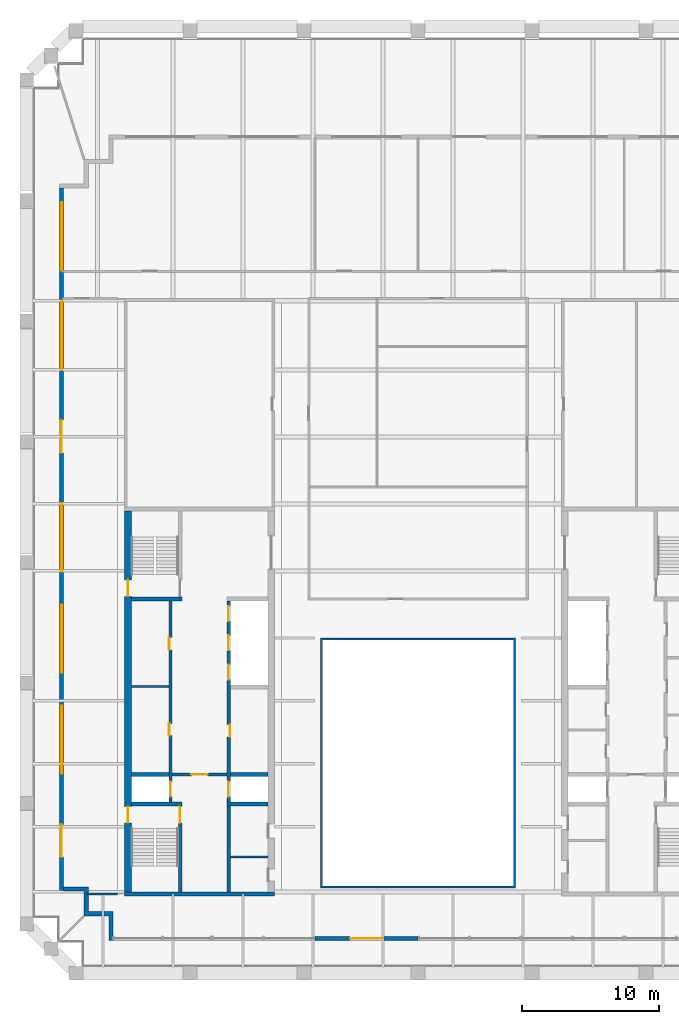
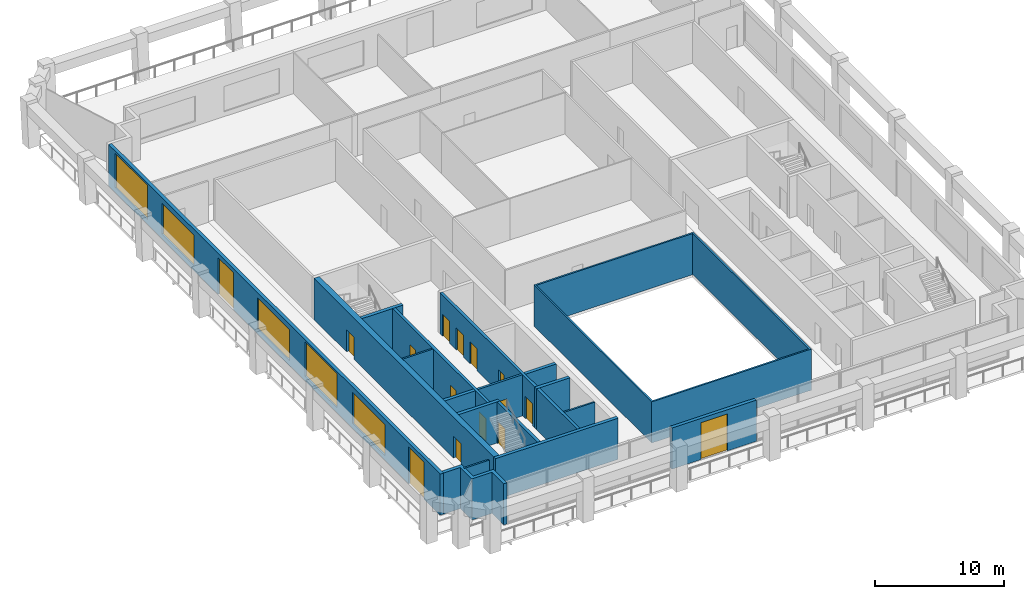
# One storey, part 5 of 10: 18 walls, 15 doors, 5 windows, 20 openings.
"""IFC4 building model written with IfcOpenShell, lengths in metres."""

from ifc_helpers import new_model, si_unit, direction, frame, frame_2d, origin, place, context, subcontext, project, spatial, polyline, rectangle, outline, extrude, material, layer, layer_set, type_object, element, fill, save


model = new_model("IFC4")

# Units and contexts
model_context = context("Model", 3, precision=1e-05, world=origin(), true_north=direction((0.0, 1.0)))
body_context = subcontext(model_context, "Body", "Model", "MODEL_VIEW")
ifc_project = project(units=[si_unit("LENGTHUNIT", "METRE"), si_unit("AREAUNIT", "SQUARE_METRE"), si_unit("VOLUMEUNIT", "CUBIC_METRE"), si_unit("PLANEANGLEUNIT", "RADIAN"), si_unit("MASSUNIT", "GRAM", prefix="KILO")], contexts=[model_context])

# Site, building, storey
site_placement = place(None, origin())
site = spatial("IfcSite", under=ifc_project, at=site_placement, CompositionType="ELEMENT")
building_placement = place(site_placement, origin())
building = spatial("IfcBuilding", under=site, at=building_placement, Name="Ogive Exchange Tower", CompositionType="ELEMENT")
storey_placement = place(building_placement, frame((0.0, 0.0, 359.39990234375)))
storey = spatial("IfcBuildingStorey", under=building, at=storey_placement, Name="L79", CompositionType="ELEMENT", Elevation=359.39990234375)

# Walls
ifc_material_1 = material(Name="Gypsum board partition")
ifc_layer_1 = layer(ifc_material_1, 0.14990234375)
ifc_layer_set_1 = layer_set([ifc_layer_1], Name="Core room partition 150 gypsum")
wall_type_1 = type_object("IfcWallType", Name="Core room partition 150 gypsum", PredefinedType="PARTITIONING", material=ifc_layer_set_1)
for number, where, z_axis, x_axis, name in (
    (1, (-21.0, 12.60009765625, 0.0), (0.0, 0.0, 1.0), (1.0, 0.0, 0.0), "W row A bay partition 1-1"),
    (2, (-13.75, 0.10009765625, 0.0), (0.0, 0.0, 1.0), (1.0, 0.0, 0.0), "W south room partition"),
):
    element("IfcWall", number, at=place(storey_placement, frame(where, z_axis=z_axis, x_axis=x_axis)), inside=storey, type_object=wall_type_1, Name=name, PredefinedType="PARTITIONING", context=body_context, shape_type="SweptSolid", body=[
        extrude(rectangle(XDim=2.75, YDim=0.14990234375, at=frame_2d((1.375, 0.0))), origin(), (0.0, 0.0, 1.0), 3.900146484375),
    ])
ifc_material_2 = material(Name="Fire partition EI 60 150")
ifc_layer_2 = layer(ifc_material_2, 0.14990234375)
ifc_layer_set_2 = layer_set([ifc_layer_2], Name="Fire partition EI 60 150")
wall_type_2 = type_object("IfcWallType", Name="Fire partition EI 60 150", PredefinedType="PARTITIONING", material=ifc_layer_set_2)
wall_1_placement = place(storey_placement, frame((-24.25, -2.60009765625, 0.0), z_axis=(0.0, 0.0, 1.0), x_axis=(1.0, 0.0, 0.0)))
element("IfcWall", 3, at=wall_1_placement, inside=storey, type_object=wall_type_2, Name="L79-PWL-002", PredefinedType="PARTITIONING", context=body_context, shape_type="SweptSolid", body=[
    extrude(rectangle(XDim=2.25, YDim=0.14990234375, at=frame_2d((1.125, 0.0))), origin(), (0.0, 0.0, 1.0), 3.900146484375),
])
ifc_material_3 = material(Name="Fire-resisting glass in steel frame", Category="steel")
ifc_layer_3 = layer(ifc_material_3, 0.14990234375)
ifc_layer_set_3 = layer_set([ifc_layer_3], Name="Fire-rated glazed wall 150")
wall_type_3 = type_object("IfcWallType", Name="Fire-rated glazed wall 150", PredefinedType="STANDARD", material=ifc_layer_set_3)
wall_2_placement = place(storey_placement, origin())
element("IfcWall", 4, at=wall_2_placement, inside=storey, type_object=wall_type_3, Name="Nave enclosure wall", PredefinedType="STANDARD", context=body_context, shape_type="SweptSolid", body=[
    extrude(outline(polyline([(-7.14990234375, -2.14990234375), (7.14990234375, -2.14990234375), (7.14990234375, 16.14990234375), (-7.14990234375, 16.14990234375), (-7.14990234375, -2.14990234375)]), holes=[polyline([(-7.0, -2.0), (-7.0, 16.0), (7.0, 16.0), (7.0, -2.0), (-7.0, -2.0)])]), origin(), (0.0, 0.0, 1.0), 3.900146484375),
])

# Wall, opening, door
ifc_material_4 = material(Name="Precast concrete C40/50", Category="concrete")
ifc_layer_4 = layer(ifc_material_4, 0.300048828125)
ifc_layer_set_4 = layer_set([ifc_layer_4], Name="Limestone-faced wall 300")
wall_type_4 = type_object("IfcWallType", Name="Limestone-faced wall 300", PredefinedType="STANDARD", material=ifc_layer_set_4)
wall_3_placement = place(storey_placement, frame((-7.550048828125, -5.85009765625, 0.0), z_axis=(0.0, 0.0, 1.0), x_axis=(1.0, 0.0, 0.0)))
wall_3 = element("IfcWall", 5, at=wall_3_placement, inside=storey, type_object=wall_type_4, Name="External wall S1", PredefinedType="STANDARD", context=body_context, shape_type="SweptSolid", body=[
    extrude(rectangle(XDim=7.550048828125, YDim=0.300048828125, at=frame_2d((3.77490234375, 0.0))), origin(), (0.0, 0.0, 1.0), 3.900146484375),
])
opening_1_placement = place(wall_3_placement, frame((2.574951171875, 0.0, 0.0)))
opening_1 = element("IfcOpeningElement", 6, at=opening_1_placement, cuts=wall_3, Name="Opening D1", PredefinedType="OPENING", context=body_context, shape_type="SweptSolid", body=[
    extrude(rectangle(XDim=2.39990234375, YDim=3.5, at=frame_2d((1.199951171875, 1.75))), frame((0.0, 0.159912109375, 0.0), z_axis=(0.0, -1.0, 0.0), x_axis=(1.0, 0.0, 0.0)), (0.0, 0.0, 1.0), 0.320068359375),
])
ifc_material_5 = material(Name="Clear glass in bronze frame", Category="glass")
door_type_1 = type_object("IfcDoorType", Name="Sliding loggia door 2400 x 3500", OperationType="DOUBLE_DOOR_SLIDING", PredefinedType="DOOR", material=ifc_material_5)
door_1_placement = place(opening_1_placement, origin())
door_1 = element("IfcDoor", 7, at=door_1_placement, inside=storey, type_object=door_type_1, Name="Loggia door S02", OperationType="DOUBLE_DOOR_SLIDING", OverallHeight=3.5, OverallWidth=2.39990234375, PredefinedType="DOOR", context=body_context, shape_type="SweptSolid", body=[
    extrude(rectangle(XDim=2.39990234375, YDim=3.5, at=frame_2d((1.199951171875, 1.75))), frame((0.0, 0.02490234375, 0.0), z_axis=(0.0, -1.0, 0.0), x_axis=(1.0, 0.0, 0.0)), (0.0, 0.0, 1.0), 0.050048828125),
])
fill(opening_1, door_1)

# Wall, openings, windows, doors
wall_4_placement = place(storey_placement, frame((-26.10009765625, 49.10009765625, 0.0), z_axis=(0.0, 0.0, 1.0), x_axis=(0.0, -1.0, 0.0)))
wall_4 = element("IfcWall", 8, at=wall_4_placement, inside=storey, type_object=wall_type_4, Name="External wall W4", PredefinedType="STANDARD", context=body_context, shape_type="SweptSolid", body=[
    extrude(rectangle(XDim=51.5, YDim=0.300048828125, at=frame_2d((25.75, 0.0))), origin(), (0.0, 0.0, 1.0), 3.900146484375),
])
opening_2_placement = place(wall_4_placement, frame((1.050048828125, 0.0, 0.449951171875)))
opening_2 = element("IfcOpeningElement", 9, at=opening_2_placement, cuts=wall_4, Name="Opening W2", PredefinedType="OPENING", context=body_context, shape_type="SweptSolid", body=[
    extrude(rectangle(XDim=5.0, YDim=3.25, at=frame_2d((2.5, 1.625))), frame((0.0, 0.159912109375, 0.0), z_axis=(0.0, -1.0, 0.0), x_axis=(1.0, 0.0, 0.0)), (0.0, 0.0, 1.0), 0.320068359375),
])
opening_3_placement = place(wall_4_placement, frame((8.300048828125, 0.0, 0.449951171875)))
opening_3 = element("IfcOpeningElement", 10, at=opening_3_placement, cuts=wall_4, Name="Opening W2B", PredefinedType="OPENING", context=body_context, shape_type="SweptSolid", body=[
    extrude(rectangle(XDim=5.0, YDim=2.89990234375, at=frame_2d((2.5, 1.449951171875))), frame((0.0, 0.159912109375, 0.0), z_axis=(0.0, -1.0, 0.0), x_axis=(1.0, 0.0, 0.0)), (0.0, 0.0, 1.0), 0.320068359375),
])
opening_4_placement = place(wall_4_placement, frame((17.0, 0.0, 0.0)))
opening_4 = element("IfcOpeningElement", 11, at=opening_4_placement, cuts=wall_4, Name="Opening D1", PredefinedType="OPENING", context=body_context, shape_type="SweptSolid", body=[
    extrude(rectangle(XDim=2.39990234375, YDim=3.5, at=frame_2d((1.199951171875, 1.75))), frame((0.0, 0.159912109375, 0.0), z_axis=(0.0, -1.0, 0.0), x_axis=(1.0, 0.0, 0.0)), (0.0, 0.0, 1.0), 0.320068359375),
])
opening_5_placement = place(wall_4_placement, frame((23.10009765625, 0.0, 0.449951171875)))
opening_5 = element("IfcOpeningElement", 12, at=opening_5_placement, cuts=wall_4, Name="Opening W2A", PredefinedType="OPENING", context=body_context, shape_type="SweptSolid", body=[
    extrude(rectangle(XDim=5.0, YDim=2.949951171875, at=frame_2d((2.5, 1.47509765625))), frame((0.0, 0.159912109375, 0.0), z_axis=(0.0, -1.0, 0.0), x_axis=(1.0, 0.0, 0.0)), (0.0, 0.0, 1.0), 0.320068359375),
])
opening_6_placement = place(wall_4_placement, frame((30.5, 0.0, 0.449951171875)))
opening_6 = element("IfcOpeningElement", 13, at=opening_6_placement, cuts=wall_4, Name="Opening W2", PredefinedType="OPENING", context=body_context, shape_type="SweptSolid", body=[
    extrude(rectangle(XDim=5.0, YDim=3.25, at=frame_2d((2.5, 1.625))), frame((0.0, 0.159912109375, 0.0), z_axis=(0.0, -1.0, 0.0), x_axis=(1.0, 0.0, 0.0)), (0.0, 0.0, 1.0), 0.320068359375),
])
opening_7_placement = place(wall_4_placement, frame((37.89990234375, 0.0, 0.449951171875)))
opening_7 = element("IfcOpeningElement", 14, at=opening_7_placement, cuts=wall_4, Name="Opening W2A", PredefinedType="OPENING", context=body_context, shape_type="SweptSolid", body=[
    extrude(rectangle(XDim=5.0, YDim=2.949951171875, at=frame_2d((2.5, 1.47509765625))), frame((0.0, 0.159912109375, 0.0), z_axis=(0.0, -1.0, 0.0), x_axis=(1.0, 0.0, 0.0)), (0.0, 0.0, 1.0), 0.320068359375),
])
opening_8_placement = place(wall_4_placement, frame((46.60009765625, 0.0, 0.0)))
opening_8 = element("IfcOpeningElement", 15, at=opening_8_placement, cuts=wall_4, Name="Opening D1", PredefinedType="OPENING", context=body_context, shape_type="SweptSolid", body=[
    extrude(rectangle(XDim=2.39990234375, YDim=3.5, at=frame_2d((1.199951171875, 1.75))), frame((0.0, 0.159912109375, 0.0), z_axis=(0.0, -1.0, 0.0), x_axis=(1.0, 0.0, 0.0)), (0.0, 0.0, 1.0), 0.320068359375),
])
window_type_1 = type_object("IfcWindowType", Name="Executive lancet window 5000 x 2900", PartitioningType="DOUBLE_PANEL_VERTICAL", PredefinedType="WINDOW", material=ifc_material_5)
window_1_placement = place(opening_3_placement, origin())
window_1 = element("IfcWindow", 16, at=window_1_placement, inside=storey, type_object=window_type_1, Name="Window W01", OverallHeight=2.89990234375, OverallWidth=5.0, PartitioningType="DOUBLE_PANEL_VERTICAL", PredefinedType="WINDOW", context=body_context, shape_type="SweptSolid", body=[
    extrude(rectangle(XDim=5.0, YDim=2.89990234375, at=frame_2d((2.5, 1.449951171875))), frame((0.0, 0.030029296875, 0.0), z_axis=(0.0, -1.0, 0.0), x_axis=(1.0, 0.0, 0.0)), (0.0, 0.0, 1.0), 0.06005859375),
])
fill(opening_3, window_1)
window_type_2 = type_object("IfcWindowType", Name="Executive lancet window 5000 x 2950", PartitioningType="DOUBLE_PANEL_VERTICAL", PredefinedType="WINDOW", material=ifc_material_5)
window_2_placement = place(opening_5_placement, origin())
window_2 = element("IfcWindow", 17, at=window_2_placement, inside=storey, type_object=window_type_2, Name="Window W03", OverallHeight=2.949951171875, OverallWidth=5.0, PartitioningType="DOUBLE_PANEL_VERTICAL", PredefinedType="WINDOW", context=body_context, shape_type="SweptSolid", body=[
    extrude(rectangle(XDim=5.0, YDim=2.949951171875, at=frame_2d((2.5, 1.47509765625))), frame((0.0, 0.030029296875, 0.0), z_axis=(0.0, -1.0, 0.0), x_axis=(1.0, 0.0, 0.0)), (0.0, 0.0, 1.0), 0.06005859375),
])
fill(opening_5, window_2)
window_3_placement = place(opening_7_placement, origin())
window_3 = element("IfcWindow", 18, at=window_3_placement, inside=storey, type_object=window_type_2, Name="Window W05", OverallHeight=2.949951171875, OverallWidth=5.0, PartitioningType="DOUBLE_PANEL_VERTICAL", PredefinedType="WINDOW", context=body_context, shape_type="SweptSolid", body=[
    extrude(rectangle(XDim=5.0, YDim=2.949951171875, at=frame_2d((2.5, 1.47509765625))), frame((0.0, 0.030029296875, 0.0), z_axis=(0.0, -1.0, 0.0), x_axis=(1.0, 0.0, 0.0)), (0.0, 0.0, 1.0), 0.06005859375),
])
fill(opening_7, window_3)
window_type_3 = type_object("IfcWindowType", Name="Executive lancet window 5000 x 3250", PartitioningType="DOUBLE_PANEL_VERTICAL", PredefinedType="WINDOW", material=ifc_material_5)
window_4_placement = place(opening_2_placement, origin())
window_4 = element("IfcWindow", 19, at=window_4_placement, inside=storey, type_object=window_type_3, Name="Window W00", OverallHeight=3.25, OverallWidth=5.0, PartitioningType="DOUBLE_PANEL_VERTICAL", PredefinedType="WINDOW", context=body_context, shape_type="SweptSolid", body=[
    extrude(rectangle(XDim=5.0, YDim=3.25, at=frame_2d((2.5, 1.625))), frame((0.0, 0.030029296875, 0.0), z_axis=(0.0, -1.0, 0.0), x_axis=(1.0, 0.0, 0.0)), (0.0, 0.0, 1.0), 0.06005859375),
])
fill(opening_2, window_4)
window_5_placement = place(opening_6_placement, origin())
window_5 = element("IfcWindow", 20, at=window_5_placement, inside=storey, type_object=window_type_3, Name="Window W04", OverallHeight=3.25, OverallWidth=5.0, PartitioningType="DOUBLE_PANEL_VERTICAL", PredefinedType="WINDOW", context=body_context, shape_type="SweptSolid", body=[
    extrude(rectangle(XDim=5.0, YDim=3.25, at=frame_2d((2.5, 1.625))), frame((0.0, 0.030029296875, 0.0), z_axis=(0.0, -1.0, 0.0), x_axis=(1.0, 0.0, 0.0)), (0.0, 0.0, 1.0), 0.06005859375),
])
fill(opening_6, window_5)
door_2_placement = place(opening_4_placement, origin())
door_2 = element("IfcDoor", 21, at=door_2_placement, inside=storey, type_object=door_type_1, Name="Loggia door W02", OperationType="DOUBLE_DOOR_SLIDING", OverallHeight=3.5, OverallWidth=2.39990234375, PredefinedType="DOOR", context=body_context, shape_type="SweptSolid", body=[
    extrude(rectangle(XDim=2.39990234375, YDim=3.5, at=frame_2d((1.199951171875, 1.75))), frame((0.0, 0.02490234375, 0.0), z_axis=(0.0, -1.0, 0.0), x_axis=(1.0, 0.0, 0.0)), (0.0, 0.0, 1.0), 0.050048828125),
])
fill(opening_4, door_2)
door_3_placement = place(opening_8_placement, origin())
door_3 = element("IfcDoor", 22, at=door_3_placement, inside=storey, type_object=door_type_1, Name="Loggia door W06", OperationType="DOUBLE_DOOR_SLIDING", OverallHeight=3.5, OverallWidth=2.39990234375, PredefinedType="DOOR", context=body_context, shape_type="SweptSolid", body=[
    extrude(rectangle(XDim=2.39990234375, YDim=3.5, at=frame_2d((1.199951171875, 1.75))), frame((0.0, 0.02490234375, 0.0), z_axis=(0.0, -1.0, 0.0), x_axis=(1.0, 0.0, 0.0)), (0.0, 0.0, 1.0), 0.050048828125),
])
fill(opening_8, door_3)

# Wall
wall_5_placement = place(storey_placement, origin())
element("IfcWall", 23, at=wall_5_placement, inside=storey, type_object=wall_type_4, Name="External corner wall C4", PredefinedType="STANDARD", context=body_context, shape_type="SweptSolid", body=[
    extrude(outline(polyline([(-22.64990234375, -4.199951171875), (-24.449951171875, -4.199951171875), (-24.449951171875, -2.39990234375), (-25.949951171875, -2.39990234375), (-25.949951171875, -2.10009765625), (-24.14990234375, -2.10009765625), (-24.14990234375, -3.89990234375), (-22.35009765625, -3.89990234375), (-22.35009765625, -6.0), (-22.64990234375, -6.0), (-22.64990234375, -4.199951171875)])), origin(), (0.0, 0.0, 1.0), 3.900146484375),
])

# Wall, opening, door
ifc_material_6 = material(Name="Concrete C70/85", Category="concrete")
ifc_layer_5 = layer(ifc_material_6, 0.199951171875)
ifc_layer_set_5 = layer_set([ifc_layer_5], Name="RC core wall 200 C70/85")
wall_type_5 = type_object("IfcWallType", Name="RC core wall 200 C70/85", PredefinedType="SHEAR", material=ifc_layer_set_5)
wall_6_placement = place(storey_placement, frame((-18.0, 6.142822265625, 0.0), z_axis=(0.0, 0.0, 1.0), x_axis=(1.0, 0.0, 0.0)))
wall_6 = element("IfcWall", 24, at=wall_6_placement, inside=storey, type_object=wall_type_5, Name="W firefighting lobby wall", PredefinedType="SHEAR", context=body_context, shape_type="SweptSolid", body=[
    extrude(rectangle(XDim=4.0, YDim=0.199951171875, at=frame_2d((2.0, 0.0))), origin(), (0.0, 0.0, 1.0), 3.900146484375),
])
opening_9_placement = place(wall_6_placement, frame((1.39990234375, 0.0, 0.0)))
opening_9 = element("IfcOpeningElement", 25, at=opening_9_placement, cuts=wall_6, Name="Opening L79-C09", PredefinedType="OPENING", context=body_context, shape_type="SweptSolid", body=[
    extrude(rectangle(XDim=1.199951171875, YDim=2.10009765625, at=frame_2d((0.60009765625, 1.050048828125))), frame((0.0, 0.10986328125, 0.0), z_axis=(0.0, -1.0, 0.0), x_axis=(1.0, 0.0, 0.0)), (0.0, 0.0, 1.0), 0.219970703125),
])
ifc_material_7 = material(Name="Steel fire door", Category="steel")
door_type_2 = type_object("IfcDoorType", Name="Firefighting lobby door FD60 1200 x 2100", OperationType="NOTDEFINED", PredefinedType="DOOR", material=ifc_material_7)
door_4_placement = place(opening_9_placement, frame((1.199951171875, 0.0, 0.0), z_axis=(0.0, 0.0, 1.0), x_axis=(-1.0, 0.0, 0.0)))
door_4 = element("IfcDoor", 26, at=door_4_placement, inside=storey, type_object=door_type_2, Name="Firefighting lobby door", ObjectType="CD3", OperationType="SINGLE_SWING_LEFT", OverallHeight=2.10009765625, OverallWidth=1.199951171875, PredefinedType="DOOR", context=body_context, shape_type="SweptSolid", body=[
    extrude(rectangle(XDim=1.199951171875, YDim=2.10009765625, at=frame_2d((0.60009765625, 1.050048828125))), frame((0.0, 0.02490234375, 0.0), z_axis=(0.0, -1.0, 0.0), x_axis=(1.0, 0.0, 0.0)), (0.0, 0.0, 1.0), 0.050048828125),
])
fill(opening_9, door_4)

ifc_layer_6 = layer(ifc_material_6, 0.25)
ifc_layer_set_6 = layer_set([ifc_layer_6], Name="RC core wall 250 C70/85")
wall_type_6 = type_object("IfcWallType", Name="RC core wall 250 C70/85", PredefinedType="SHEAR", material=ifc_layer_set_6)
wall_7_placement = place(storey_placement, frame((-17.425048828125, -2.449951171875, 0.0), z_axis=(0.0, 0.0, 1.0), x_axis=(0.0, 1.0, 0.0)))
wall_7 = element("IfcWall", 27, at=wall_7_placement, inside=storey, type_object=wall_type_6, Name="W stair S front wall", PredefinedType="SHEAR", context=body_context, shape_type="SweptSolid", body=[
    extrude(rectangle(XDim=6.300048828125, YDim=0.25, at=frame_2d((3.14990234375, 0.0))), origin(), (0.0, 0.0, 1.0), 3.900146484375),
])
opening_10_placement = place(wall_7_placement, frame((5.050048828125, 0.0, 0.0)))
opening_10 = element("IfcOpeningElement", 28, at=opening_10_placement, cuts=wall_7, Name="Opening L79-C11", PredefinedType="OPENING", context=body_context, shape_type="SweptSolid", body=[
    extrude(rectangle(XDim=1.199951171875, YDim=2.10009765625, at=frame_2d((0.60009765625, 1.050048828125))), frame((0.0, 0.135009765625, 0.0), z_axis=(0.0, -1.0, 0.0), x_axis=(1.0, 0.0, 0.0)), (0.0, 0.0, 1.0), 0.27001953125),
])
door_type_3 = type_object("IfcDoorType", Name="Stair door FD90 1200 x 2100", OperationType="NOTDEFINED", PredefinedType="DOOR", material=ifc_material_7)
door_5_placement = place(opening_10_placement, origin())
door_5 = element("IfcDoor", 29, at=door_5_placement, inside=storey, type_object=door_type_3, Name="Stair door", ObjectType="CD5", OperationType="SINGLE_SWING_LEFT", OverallHeight=2.10009765625, OverallWidth=1.199951171875, PredefinedType="DOOR", context=body_context, shape_type="SweptSolid", body=[
    extrude(rectangle(XDim=1.199951171875, YDim=2.10009765625, at=frame_2d((0.60009765625, 1.050048828125))), frame((0.0, 0.02490234375, 0.0), z_axis=(0.0, -1.0, 0.0), x_axis=(1.0, 0.0, 0.0)), (0.0, 0.0, 1.0), 0.050048828125),
])
fill(opening_10, door_5)

# Wall, openings, doors
wall_8_placement = place(storey_placement, frame((-18.125, 4.14990234375, 0.0), z_axis=(0.0, 0.0, 1.0), x_axis=(0.0, 1.0, 0.0)))
wall_8 = element("IfcWall", 30, at=wall_8_placement, inside=storey, type_object=wall_type_6, Name="W row A front wall", PredefinedType="SHEAR", context=body_context, shape_type="SweptSolid", body=[
    extrude(rectangle(XDim=14.7001953125, YDim=0.25, at=frame_2d((7.35009765625, 0.0))), origin(), (0.0, 0.0, 1.0), 3.900146484375),
])
opening_11_placement = place(wall_8_placement, frame((4.846435546875, 0.0, 0.0)))
opening_11 = element("IfcOpeningElement", 31, at=opening_11_placement, cuts=wall_8, Name="Opening L79-C01", PredefinedType="OPENING", context=body_context, shape_type="SweptSolid", body=[
    extrude(rectangle(XDim=0.89990234375, YDim=2.10009765625, at=frame_2d((0.449951171875, 1.050048828125))), frame((0.0, 0.135009765625, 0.0), z_axis=(0.0, -1.0, 0.0), x_axis=(1.0, 0.0, 0.0)), (0.0, 0.0, 1.0), 0.27001953125),
])
opening_12_placement = place(wall_8_placement, frame((11.125, 0.0, 0.0)))
opening_12 = element("IfcOpeningElement", 32, at=opening_12_placement, cuts=wall_8, Name="Opening L79-C02", PredefinedType="OPENING", context=body_context, shape_type="SweptSolid", body=[
    extrude(rectangle(XDim=0.89990234375, YDim=2.10009765625, at=frame_2d((0.449951171875, 1.050048828125))), frame((0.0, 0.135009765625, 0.0), z_axis=(0.0, -1.0, 0.0), x_axis=(1.0, 0.0, 0.0)), (0.0, 0.0, 1.0), 0.27001953125),
])
opening_13_placement = place(wall_8_placement, frame((0.371337890625, 0.0, 0.0)))
opening_13 = element("IfcOpeningElement", 33, at=opening_13_placement, cuts=wall_8, Name="Opening L79-C03", PredefinedType="OPENING", context=body_context, shape_type="SweptSolid", body=[
    extrude(rectangle(XDim=1.10009765625, YDim=2.10009765625, at=frame_2d((0.550048828125, 1.050048828125))), frame((0.0, 0.135009765625, 0.0), z_axis=(0.0, -1.0, 0.0), x_axis=(1.0, 0.0, 0.0)), (0.0, 0.0, 1.0), 0.27001953125),
])
ifc_material_8 = material(Name="Stainless steel", Category="steel")
door_type_4 = type_object("IfcDoorType", Name="Lift landing door FD90 1100 x 2100", OperationType="SLIDING_TO_LEFT", PredefinedType="DOOR", material=ifc_material_8)
door_6_placement = place(opening_13_placement, origin())
door_6 = element("IfcDoor", 34, at=door_6_placement, inside=storey, type_object=door_type_4, Name="Lift landing door FF1", ObjectType="LD", OperationType="SLIDING_TO_LEFT", OverallHeight=2.10009765625, OverallWidth=1.10009765625, PredefinedType="DOOR", context=body_context, shape_type="SweptSolid", body=[
    extrude(rectangle(XDim=1.10009765625, YDim=2.10009765625, at=frame_2d((0.550048828125, 1.050048828125))), frame((0.0, 0.02490234375, 0.0), z_axis=(0.0, -1.0, 0.0), x_axis=(1.0, 0.0, 0.0)), (0.0, 0.0, 1.0), 0.050048828125),
])
fill(opening_13, door_6)
door_type_5 = type_object("IfcDoorType", Name="Riser door FD60 900 x 2100", OperationType="NOTDEFINED", PredefinedType="DOOR", material=ifc_material_7)
door_7_placement = place(opening_11_placement, origin())
door_7 = element("IfcDoor", 35, at=door_7_placement, inside=storey, type_object=door_type_5, Name="Riser door", ObjectType="CD2", OperationType="SINGLE_SWING_RIGHT", OverallHeight=2.10009765625, OverallWidth=0.89990234375, PredefinedType="DOOR", context=body_context, shape_type="SweptSolid", body=[
    extrude(rectangle(XDim=0.89990234375, YDim=2.10009765625, at=frame_2d((0.449951171875, 1.050048828125))), frame((0.0, 0.125, 0.0), z_axis=(0.0, -1.0, 0.0), x_axis=(1.0, 0.0, 0.0)), (0.0, 0.0, 1.0), 0.050048828125),
])
fill(opening_11, door_7)
door_8_placement = place(opening_12_placement, origin())
door_8 = element("IfcDoor", 36, at=door_8_placement, inside=storey, type_object=door_type_5, Name="Riser door", ObjectType="CD2", OperationType="SINGLE_SWING_RIGHT", OverallHeight=2.10009765625, OverallWidth=0.89990234375, PredefinedType="DOOR", context=body_context, shape_type="SweptSolid", body=[
    extrude(rectangle(XDim=0.89990234375, YDim=2.10009765625, at=frame_2d((0.449951171875, 1.050048828125))), frame((0.0, 0.125, 0.0), z_axis=(0.0, -1.0, 0.0), x_axis=(1.0, 0.0, 0.0)), (0.0, 0.0, 1.0), 0.050048828125),
])
fill(opening_12, door_8)

wall_9_placement = place(storey_placement, frame((-13.875, -2.449951171875, 0.0), z_axis=(0.0, 0.0, 1.0), x_axis=(0.0, 1.0, 0.0)))
wall_9 = element("IfcWall", 37, at=wall_9_placement, inside=storey, type_object=wall_type_6, Name="W row B front wall", PredefinedType="SHEAR", context=body_context, shape_type="SweptSolid", body=[
    extrude(rectangle(XDim=21.300048828125, YDim=0.25, at=frame_2d((10.64990234375, 0.0))), origin(), (0.0, 0.0, 1.0), 3.900146484375),
])
opening_14_placement = place(wall_9_placement, frame((11.357177734375, 0.0, 0.0)))
opening_14 = element("IfcOpeningElement", 38, at=opening_14_placement, cuts=wall_9, Name="Opening L79-C04", PredefinedType="OPENING", context=body_context, shape_type="SweptSolid", body=[
    extrude(rectangle(XDim=0.89990234375, YDim=2.10009765625, at=frame_2d((0.449951171875, 1.050048828125))), frame((0.0, 0.135009765625, 0.0), z_axis=(0.0, -1.0, 0.0), x_axis=(1.0, 0.0, 0.0)), (0.0, 0.0, 1.0), 0.27001953125),
])
opening_15_placement = place(wall_9_placement, frame((6.971435546875, 0.0, 0.0)))
opening_15 = element("IfcOpeningElement", 39, at=opening_15_placement, cuts=wall_9, Name="Opening L79-C05", PredefinedType="OPENING", context=body_context, shape_type="SweptSolid", body=[
    extrude(rectangle(XDim=1.10009765625, YDim=2.10009765625, at=frame_2d((0.550048828125, 1.050048828125))), frame((0.0, 0.135009765625, 0.0), z_axis=(0.0, -1.0, 0.0), x_axis=(1.0, 0.0, 0.0)), (0.0, 0.0, 1.0), 0.27001953125),
])
opening_16_placement = place(wall_9_placement, frame((15.54296875, 0.0, 0.0)))
opening_16 = element("IfcOpeningElement", 40, at=opening_16_placement, cuts=wall_9, Name="Opening L79-C06", PredefinedType="OPENING", context=body_context, shape_type="SweptSolid", body=[
    extrude(rectangle(XDim=1.10009765625, YDim=2.10009765625, at=frame_2d((0.550048828125, 1.050048828125))), frame((0.0, 0.135009765625, 0.0), z_axis=(0.0, -1.0, 0.0), x_axis=(1.0, 0.0, 0.0)), (0.0, 0.0, 1.0), 0.27001953125),
])
opening_17_placement = place(wall_9_placement, frame((17.685791015625, 0.0, 0.0)))
opening_17 = element("IfcOpeningElement", 41, at=opening_17_placement, cuts=wall_9, Name="Opening L79-C07", PredefinedType="OPENING", context=body_context, shape_type="SweptSolid", body=[
    extrude(rectangle(XDim=1.10009765625, YDim=2.10009765625, at=frame_2d((0.550048828125, 1.050048828125))), frame((0.0, 0.135009765625, 0.0), z_axis=(0.0, -1.0, 0.0), x_axis=(1.0, 0.0, 0.0)), (0.0, 0.0, 1.0), 0.27001953125),
])
opening_18_placement = place(wall_9_placement, frame((19.82861328125, 0.0, 0.0)))
opening_18 = element("IfcOpeningElement", 42, at=opening_18_placement, cuts=wall_9, Name="Opening L79-C08", PredefinedType="OPENING", context=body_context, shape_type="SweptSolid", body=[
    extrude(rectangle(XDim=1.10009765625, YDim=2.10009765625, at=frame_2d((0.550048828125, 1.050048828125))), frame((0.0, 0.135009765625, 0.0), z_axis=(0.0, -1.0, 0.0), x_axis=(1.0, 0.0, 0.0)), (0.0, 0.0, 1.0), 0.27001953125),
])
door_9_placement = place(opening_15_placement, origin())
door_9 = element("IfcDoor", 43, at=door_9_placement, inside=storey, type_object=door_type_4, Name="Lift landing door SV1", ObjectType="LD", OperationType="SLIDING_TO_LEFT", OverallHeight=2.10009765625, OverallWidth=1.10009765625, PredefinedType="DOOR", context=body_context, shape_type="SweptSolid", body=[
    extrude(rectangle(XDim=1.10009765625, YDim=2.10009765625, at=frame_2d((0.550048828125, 1.050048828125))), frame((0.0, 0.02490234375, 0.0), z_axis=(0.0, -1.0, 0.0), x_axis=(1.0, 0.0, 0.0)), (0.0, 0.0, 1.0), 0.050048828125),
])
fill(opening_15, door_9)
door_10_placement = place(opening_16_placement, origin())
door_10 = element("IfcDoor", 44, at=door_10_placement, inside=storey, type_object=door_type_4, Name="Lift landing door W-H1", ObjectType="LD", OperationType="SLIDING_TO_LEFT", OverallHeight=2.10009765625, OverallWidth=1.10009765625, PredefinedType="DOOR", context=body_context, shape_type="SweptSolid", body=[
    extrude(rectangle(XDim=1.10009765625, YDim=2.10009765625, at=frame_2d((0.550048828125, 1.050048828125))), frame((0.0, 0.02490234375, 0.0), z_axis=(0.0, -1.0, 0.0), x_axis=(1.0, 0.0, 0.0)), (0.0, 0.0, 1.0), 0.050048828125),
])
fill(opening_16, door_10)
door_11_placement = place(opening_17_placement, origin())
door_11 = element("IfcDoor", 45, at=door_11_placement, inside=storey, type_object=door_type_4, Name="Lift landing door W-H2", ObjectType="LD", OperationType="SLIDING_TO_LEFT", OverallHeight=2.10009765625, OverallWidth=1.10009765625, PredefinedType="DOOR", context=body_context, shape_type="SweptSolid", body=[
    extrude(rectangle(XDim=1.10009765625, YDim=2.10009765625, at=frame_2d((0.550048828125, 1.050048828125))), frame((0.0, 0.02490234375, 0.0), z_axis=(0.0, -1.0, 0.0), x_axis=(1.0, 0.0, 0.0)), (0.0, 0.0, 1.0), 0.050048828125),
])
fill(opening_17, door_11)
door_12_placement = place(opening_18_placement, origin())
door_12 = element("IfcDoor", 46, at=door_12_placement, inside=storey, type_object=door_type_4, Name="Lift landing door W-H3", ObjectType="LD", OperationType="SLIDING_TO_LEFT", OverallHeight=2.10009765625, OverallWidth=1.10009765625, PredefinedType="DOOR", context=body_context, shape_type="SweptSolid", body=[
    extrude(rectangle(XDim=1.10009765625, YDim=2.10009765625, at=frame_2d((0.550048828125, 1.050048828125))), frame((0.0, 0.02490234375, 0.0), z_axis=(0.0, -1.0, 0.0), x_axis=(1.0, 0.0, 0.0)), (0.0, 0.0, 1.0), 0.050048828125),
])
fill(opening_18, door_12)
door_13_placement = place(opening_14_placement, frame((0.89990234375, -0.2001953125, 0.0), z_axis=(0.0, 0.0, 1.0), x_axis=(-1.0, 0.0, 0.0)))
door_13 = element("IfcDoor", 47, at=door_13_placement, inside=storey, type_object=door_type_5, Name="Riser door", ObjectType="CD2", OperationType="SINGLE_SWING_RIGHT", OverallHeight=2.10009765625, OverallWidth=0.89990234375, PredefinedType="DOOR", context=body_context, shape_type="SweptSolid", body=[
    extrude(rectangle(XDim=0.89990234375, YDim=2.10009765625, at=frame_2d((0.449951171875, 1.050048828125))), frame((0.0, -0.0751953125, 0.0), z_axis=(0.0, -1.0, 0.0), x_axis=(1.0, 0.0, 0.0)), (0.0, 0.0, 1.0), 0.050048828125),
])
fill(opening_14, door_13)

# Walls
ifc_layer_7 = layer(ifc_material_6, 0.300048828125)
ifc_layer_set_7 = layer_set([ifc_layer_7], Name="RC core wall 300 C70/85")
wall_type_7 = type_object("IfcWallType", Name="RC core wall 300 C70/85", PredefinedType="SHEAR", material=ifc_layer_set_7)
wall_10_placement = place(storey_placement, frame((-21.5, -2.60009765625, 0.0), z_axis=(0.0, 0.0, 1.0), x_axis=(1.0, 0.0, 0.0)))
element("IfcWall", 48, at=wall_10_placement, inside=storey, type_object=wall_type_7, Name="W south end wall", PredefinedType="SHEAR", context=body_context, shape_type="SweptSolid", body=[
    extrude(rectangle(XDim=11.0, YDim=0.300048828125, at=frame_2d((5.5, 0.0))), origin(), (0.0, 0.0, 1.0), 3.900146484375),
])
for number, where, z_axis, x_axis, name in (
    (49, (-21.0, 4.0, 0.0), (0.0, 0.0, 1.0), (1.0, 0.0, 0.0), "W stair S north wall"),
    (50, (-21.0, 19.0, 0.0), (0.0, 0.0, 1.0), (1.0, 0.0, 0.0), "W stair N south wall"),
):
    element("IfcWall", number, at=place(storey_placement, frame(where, z_axis=z_axis, x_axis=x_axis)), inside=storey, type_object=wall_type_7, Name=name, PredefinedType="SHEAR", context=body_context, shape_type="SweptSolid", body=[
        extrude(rectangle(XDim=3.699951171875, YDim=0.300048828125, at=frame_2d((1.85009765625, 0.0))), origin(), (0.0, 0.0, 1.0), 3.900146484375),
    ])
wall_11_placement = place(storey_placement, frame((-21.0, 6.142822265625, 0.0), z_axis=(0.0, 0.0, 1.0), x_axis=(1.0, 0.0, 0.0)))
element("IfcWall", 51, at=wall_11_placement, inside=storey, type_object=wall_type_7, Name="W row A divider 1", PredefinedType="SHEAR", context=body_context, shape_type="SweptSolid", body=[
    extrude(rectangle(XDim=2.75, YDim=0.300048828125, at=frame_2d((1.375, 0.0))), origin(), (0.0, 0.0, 1.0), 3.900146484375),
])
wall_12_placement = place(storey_placement, frame((-14.0, 4.0, 0.0), z_axis=(0.0, 0.0, 1.0), x_axis=(1.0, 0.0, 0.0)))
element("IfcWall", 52, at=wall_12_placement, inside=storey, type_object=wall_type_7, Name="W row B divider 0", PredefinedType="SHEAR", context=body_context, shape_type="SweptSolid", body=[
    extrude(rectangle(XDim=3.0, YDim=0.300048828125, at=frame_2d((1.5, 0.0))), origin(), (0.0, 0.0, 1.0), 3.900146484375),
])
wall_13_placement = place(storey_placement, frame((-13.75, 6.142822265625, 0.0), z_axis=(0.0, 0.0, 1.0), x_axis=(1.0, 0.0, 0.0)))
element("IfcWall", 53, at=wall_13_placement, inside=storey, type_object=wall_type_7, Name="W row B divider 1", PredefinedType="SHEAR", context=body_context, shape_type="SweptSolid", body=[
    extrude(rectangle(XDim=2.75, YDim=0.300048828125, at=frame_2d((1.375, 0.0))), origin(), (0.0, 0.0, 1.0), 3.900146484375),
])

# Wall, openings, doors
ifc_layer_8 = layer(ifc_material_6, 0.5)
ifc_layer_set_8 = layer_set([ifc_layer_8], Name="RC core wall 500 C70/85")
wall_type_8 = type_object("IfcWallType", Name="RC core wall 500 C70/85", PredefinedType="SHEAR", material=ifc_layer_set_8)
wall_14_placement = place(storey_placement, frame((-21.25, -2.449951171875, 0.0), z_axis=(0.0, 0.0, 1.0), x_axis=(0.0, 1.0, 0.0)))
wall_14 = element("IfcWall", 54, at=wall_14_placement, inside=storey, type_object=wall_type_8, Name="W outer wall", PredefinedType="SHEAR", context=body_context, shape_type="SweptSolid", body=[
    extrude(rectangle(XDim=27.89990234375, YDim=0.5, at=frame_2d((13.949951171875, 0.0))), origin(), (0.0, 0.0, 1.0), 3.900146484375),
])
opening_19_placement = place(wall_14_placement, frame((5.050048828125, 0.0, 0.0)))
opening_19 = element("IfcOpeningElement", 55, at=opening_19_placement, cuts=wall_14, Name="Opening L79-C12", PredefinedType="OPENING", context=body_context, shape_type="SweptSolid", body=[
    extrude(rectangle(XDim=1.199951171875, YDim=2.10009765625, at=frame_2d((0.60009765625, 1.050048828125))), frame((0.0, 0.260009765625, 0.0), z_axis=(0.0, -1.0, 0.0), x_axis=(1.0, 0.0, 0.0)), (0.0, 0.0, 1.0), 0.52001953125),
])
opening_20_placement = place(wall_14_placement, frame((21.64990234375, 0.0, 0.0)))
opening_20 = element("IfcOpeningElement", 56, at=opening_20_placement, cuts=wall_14, Name="Opening L79-C14", PredefinedType="OPENING", context=body_context, shape_type="SweptSolid", body=[
    extrude(rectangle(XDim=1.199951171875, YDim=2.10009765625, at=frame_2d((0.60009765625, 1.050048828125))), frame((0.0, 0.260009765625, 0.0), z_axis=(0.0, -1.0, 0.0), x_axis=(1.0, 0.0, 0.0)), (0.0, 0.0, 1.0), 0.52001953125),
])
door_14_placement = place(opening_19_placement, origin())
door_14 = element("IfcDoor", 57, at=door_14_placement, inside=storey, type_object=door_type_3, Name="Stair door", ObjectType="CD5", OperationType="SINGLE_SWING_LEFT", OverallHeight=2.10009765625, OverallWidth=1.199951171875, PredefinedType="DOOR", context=body_context, shape_type="SweptSolid", body=[
    extrude(rectangle(XDim=1.199951171875, YDim=2.10009765625, at=frame_2d((0.60009765625, 1.050048828125))), frame((0.0, 0.02490234375, 0.0), z_axis=(0.0, -1.0, 0.0), x_axis=(1.0, 0.0, 0.0)), (0.0, 0.0, 1.0), 0.050048828125),
])
fill(opening_19, door_14)
door_15_placement = place(opening_20_placement, origin())
door_15 = element("IfcDoor", 58, at=door_15_placement, inside=storey, type_object=door_type_3, Name="Stair door", ObjectType="CD5", OperationType="SINGLE_SWING_RIGHT", OverallHeight=2.10009765625, OverallWidth=1.199951171875, PredefinedType="DOOR", context=body_context, shape_type="SweptSolid", body=[
    extrude(rectangle(XDim=1.199951171875, YDim=2.10009765625, at=frame_2d((0.60009765625, 1.050048828125))), frame((0.0, 0.02490234375, 0.0), z_axis=(0.0, -1.0, 0.0), x_axis=(1.0, 0.0, 0.0)), (0.0, 0.0, 1.0), 0.050048828125),
])
fill(opening_20, door_15)

save(model, "model.ifc")
